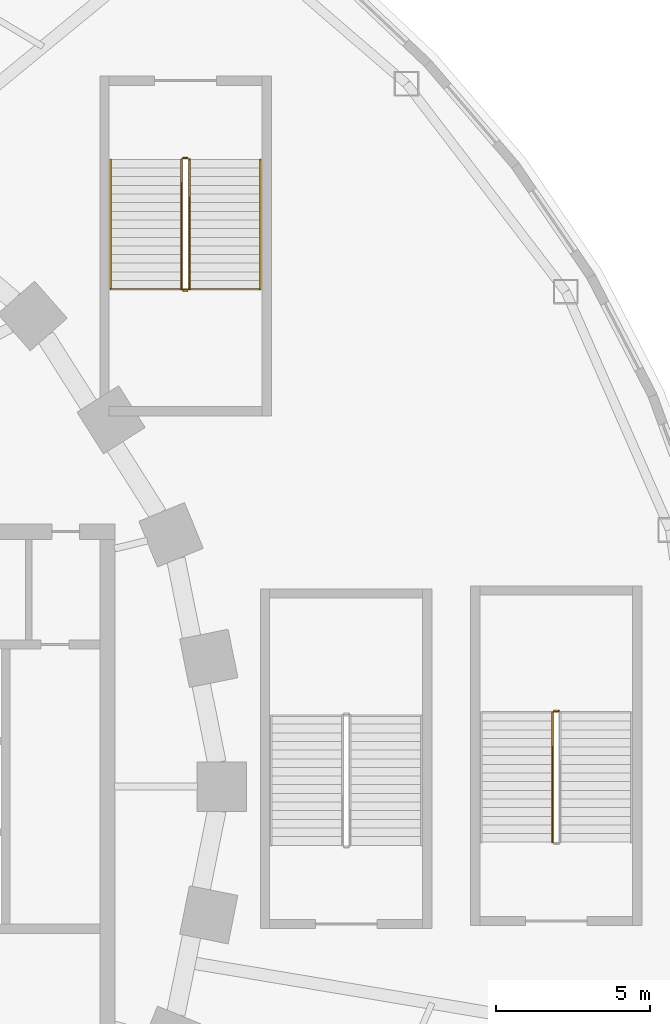
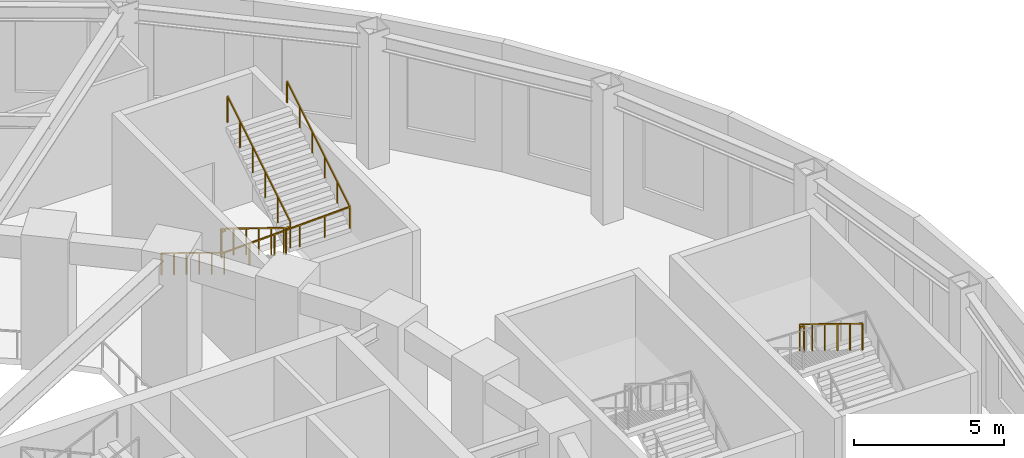
# One storey, part 68 of 69: 7 railings.
"""IFC4 building model written with IfcOpenShell, lengths in metres."""

from ifc_helpers import new_model, si_unit, direction, frame, origin, origin_2d, place, context, subcontext, project, spatial, rectangle, extrude, material, type_object, element, save


model = new_model("IFC4")

# Units and contexts
model_context = context("Model", 3, precision=1e-05, world=origin(), true_north=direction((0.0, 1.0)))
body_context = subcontext(model_context, "Body", "Model", "MODEL_VIEW")
ifc_project = project(units=[si_unit("LENGTHUNIT", "METRE"), si_unit("AREAUNIT", "SQUARE_METRE"), si_unit("VOLUMEUNIT", "CUBIC_METRE"), si_unit("PLANEANGLEUNIT", "RADIAN"), si_unit("MASSUNIT", "GRAM", prefix="KILO")], contexts=[model_context])

# Site, building, storey
site_placement = place(None, origin())
site = spatial("IfcSite", under=ifc_project, at=site_placement, CompositionType="ELEMENT")
building_placement = place(site_placement, origin())
building = spatial("IfcBuilding", under=site, at=building_placement, Name="Noorbagh Ring Tower", CompositionType="ELEMENT")
storey_placement = place(building_placement, frame((0.0, 0.0, 19.5)))
storey = spatial("IfcBuildingStorey", under=building, at=storey_placement, Name="L03", CompositionType="ELEMENT", Elevation=19.5)

# Railings
ifc_material_1 = material(Name="Stainless steel", Category="steel")
railing_type_1 = type_object("IfcRailingType", Name="GND-STAIR-GUARD", PredefinedType="GUARDRAIL", material=ifc_material_1)
railing_1_placement = place(storey_placement, frame((45.85009765625, 2.449951171875, 2.75)))
element("IfcRailing", 1, at=railing_1_placement, inside=storey, type_object=railing_type_1, Name="L03 ST-P4 stair guard", PredefinedType="GUARDRAIL", context=body_context, shape_type="SweptSolid", body=[
    extrude(rectangle(XDim=0.048095703125, YDim=0.048095703125, at=origin_2d()), frame((0.0, 0.0, 1.076171875), z_axis=(-1.0, 0.0, 0.0), x_axis=(0.0, -1.0, 0.0)), (0.0, 0.0, 1.0), 0.150146484375),
    extrude(rectangle(XDim=0.0419921875, YDim=0.0419921875, at=origin_2d()), origin(), (0.0, 0.0, 1.0), 1.052001953125),
])
for number, where, name in (
    (2, (45.64990234375, 2.39990234375, 2.921875), "L03 ST-P4 stair guard"),
    (3, (33.64990234375, 20.300048828125, 0.171875), "L03 ST-P5 stair guard"),
):
    element("IfcRailing", number, at=place(storey_placement, frame(where)), inside=storey, type_object=railing_type_1, Name=name, PredefinedType="GUARDRAIL", context=body_context, shape_type="SweptSolid", body=[
        extrude(rectangle(XDim=0.048095703125, YDim=0.048095703125, at=origin_2d()), frame((0.0, 0.0, 1.076171875), z_axis=(0.0, -0.852242915053, 0.523146264196), x_axis=(1.0, 0.0, 0.0)), (0.0, 0.0, 1.0), 4.92822265625),
        extrude(rectangle(XDim=0.0419921875, YDim=0.0419921875, at=origin_2d()), origin(), (0.0, 0.0, 1.0), 1.052001953125),
        extrude(rectangle(XDim=0.0419921875, YDim=0.0419921875, at=origin_2d()), frame((0.0, -0.840087890625, 0.515625)), (0.0, 0.0, 1.0), 1.052001953125),
        extrude(rectangle(XDim=0.0419921875, YDim=0.0419921875, at=origin_2d()), frame((0.0, -1.679931640625, 1.03125)), (0.0, 0.0, 1.0), 1.052001953125),
        extrude(rectangle(XDim=0.0419921875, YDim=0.0419921875, at=origin_2d()), frame((0.0, -2.52001953125, 1.546875)), (0.0, 0.0, 1.0), 1.052001953125),
        extrude(rectangle(XDim=0.0419921875, YDim=0.0419921875, at=origin_2d()), frame((0.0, -3.35986328125, 2.0625)), (0.0, 0.0, 1.0), 1.052001953125),
        extrude(rectangle(XDim=0.0419921875, YDim=0.0419921875, at=origin_2d()), frame((0.0, -4.199951171875, 2.578125)), (0.0, 0.0, 1.0), 1.052001953125),
    ])
railing_2_placement = place(storey_placement, frame((33.699951171875, 16.050048828125, 2.75)))
element("IfcRailing", 4, at=railing_2_placement, inside=storey, type_object=railing_type_1, Name="L03 ST-P5 stair guard", PredefinedType="GUARDRAIL", context=body_context, shape_type="SweptSolid", body=[
    extrude(rectangle(XDim=0.048095703125, YDim=0.048095703125, at=origin_2d()), frame((0.0, 0.0, 1.076171875), z_axis=(1.0, 0.0, 0.0), x_axis=(0.0, 1.0, 0.0)), (0.0, 0.0, 1.0), 0.150146484375),
    extrude(rectangle(XDim=0.0419921875, YDim=0.0419921875, at=origin_2d()), origin(), (0.0, 0.0, 1.0), 1.052001953125),
])
railing_3_placement = place(storey_placement, frame((33.89990234375, 16.10009765625, 2.921875)))
element("IfcRailing", 5, at=railing_3_placement, inside=storey, type_object=railing_type_1, Name="L03 ST-P5 stair guard", PredefinedType="GUARDRAIL", context=body_context, shape_type="SweptSolid", body=[
    extrude(rectangle(XDim=0.048095703125, YDim=0.048095703125, at=origin_2d()), frame((0.0, 0.0, 1.076171875), z_axis=(0.0, 0.852242915053, 0.523146264196), x_axis=(-1.0, 0.0, 0.0)), (0.0, 0.0, 1.0), 4.92822265625),
    extrude(rectangle(XDim=0.0419921875, YDim=0.0419921875, at=origin_2d()), origin(), (0.0, 0.0, 1.0), 1.052001953125),
    extrude(rectangle(XDim=0.0419921875, YDim=0.0419921875, at=origin_2d()), frame((0.0, 0.840087890625, 0.515625)), (0.0, 0.0, 1.0), 1.052001953125),
    extrude(rectangle(XDim=0.0419921875, YDim=0.0419921875, at=origin_2d()), frame((0.0, 1.679931640625, 1.03125)), (0.0, 0.0, 1.0), 1.052001953125),
    extrude(rectangle(XDim=0.0419921875, YDim=0.0419921875, at=origin_2d()), frame((0.0, 2.52001953125, 1.546875)), (0.0, 0.0, 1.0), 1.052001953125),
    extrude(rectangle(XDim=0.0419921875, YDim=0.0419921875, at=origin_2d()), frame((0.0, 3.35986328125, 2.0625)), (0.0, 0.0, 1.0), 1.052001953125),
    extrude(rectangle(XDim=0.0419921875, YDim=0.0419921875, at=origin_2d()), frame((0.0, 4.199951171875, 2.578125)), (0.0, 0.0, 1.0), 1.052001953125),
])
railing_4_placement = place(storey_placement, frame((33.699951171875, 20.35009765625, 0.0)))
element("IfcRailing", 6, at=railing_4_placement, inside=storey, type_object=railing_type_1, Name="L03 ST-P5 stair guard", PredefinedType="GUARDRAIL", context=body_context, shape_type="SweptSolid", body=[
    extrude(rectangle(XDim=0.048095703125, YDim=0.048095703125, at=origin_2d()), frame((0.0, 0.0, 1.076171875), z_axis=(1.0, 0.0, 0.0), x_axis=(0.0, 1.0, 0.0)), (0.0, 0.0, 1.0), 0.150146484375),
    extrude(rectangle(XDim=0.0419921875, YDim=0.0419921875, at=origin_2d()), origin(), (0.0, 0.0, 1.0), 1.052001953125),
])
ifc_material_2 = material(Name="Stainless steel", Category="steel")
railing_type_2 = type_object("IfcRailingType", Name="GND-STAIR-HANDRAIL", PredefinedType="HANDRAIL", material=ifc_material_2)
railing_5_placement = place(storey_placement, frame((31.35009765625, 20.300048828125, 0.171875)))
element("IfcRailing", 7, at=railing_5_placement, inside=storey, type_object=railing_type_2, Name="L03 ST-P5 stair handrail", PredefinedType="HANDRAIL", context=body_context, shape_type="SweptSolid", body=[
    extrude(rectangle(XDim=0.048095703125, YDim=0.048095703125, at=origin_2d()), frame((0.0, 0.0, 0.8759765625), z_axis=(0.0, -0.852242915053, 0.523146264196), x_axis=(1.0, 0.0, 0.0)), (0.0, 0.0, 1.0), 4.92822265625),
    extrude(rectangle(XDim=0.048095703125, YDim=0.048095703125, at=origin_2d()), frame((0.0, -4.199951171875, 3.4541015625), z_axis=(0.99937262193, 0.0, 0.035416980913), x_axis=(0.0, 1.0, 0.0)), (0.0, 0.0, 1.0), 4.852783203125),
    extrude(rectangle(XDim=0.048095703125, YDim=0.048095703125, at=origin_2d()), frame((4.849853515625, -4.199951171875, 3.6259765625), z_axis=(0.0, 0.852242915053, 0.523146264196), x_axis=(-1.0, 0.0, 0.0)), (0.0, 0.0, 1.0), 4.92822265625),
    extrude(rectangle(XDim=0.0419921875, YDim=0.0419921875, at=origin_2d()), origin(), (0.0, 0.0, 1.0), 0.851806640625),
    extrude(rectangle(XDim=0.0419921875, YDim=0.0419921875, at=origin_2d()), frame((0.0, -0.840087890625, 0.515625)), (0.0, 0.0, 1.0), 0.851806640625),
    extrude(rectangle(XDim=0.0419921875, YDim=0.0419921875, at=origin_2d()), frame((0.0, -1.679931640625, 1.03125)), (0.0, 0.0, 1.0), 0.851806640625),
    extrude(rectangle(XDim=0.0419921875, YDim=0.0419921875, at=origin_2d()), frame((0.0, -2.52001953125, 1.546875)), (0.0, 0.0, 1.0), 0.851806640625),
    extrude(rectangle(XDim=0.0419921875, YDim=0.0419921875, at=origin_2d()), frame((0.0, -3.35986328125, 2.0625)), (0.0, 0.0, 1.0), 0.851806640625),
    extrude(rectangle(XDim=0.0419921875, YDim=0.0419921875, at=origin_2d()), frame((0.0, -4.199951171875, 2.578125)), (0.0, 0.0, 1.0), 0.851806640625),
    extrude(rectangle(XDim=0.0419921875, YDim=0.0419921875, at=origin_2d()), frame((0.969970703125, -4.199951171875, 2.612548828125)), (0.0, 0.0, 1.0), 0.851806640625),
    extrude(rectangle(XDim=0.0419921875, YDim=0.0419921875, at=origin_2d()), frame((1.93994140625, -4.199951171875, 2.64697265625)), (0.0, 0.0, 1.0), 0.851806640625),
    extrude(rectangle(XDim=0.0419921875, YDim=0.0419921875, at=origin_2d()), frame((2.909912109375, -4.199951171875, 2.68115234375)), (0.0, 0.0, 1.0), 0.851806640625),
    extrude(rectangle(XDim=0.0419921875, YDim=0.0419921875, at=origin_2d()), frame((3.8798828125, -4.199951171875, 2.715576171875)), (0.0, 0.0, 1.0), 0.851806640625),
    extrude(rectangle(XDim=0.0419921875, YDim=0.0419921875, at=origin_2d()), frame((4.849853515625, -4.199951171875, 2.75)), (0.0, 0.0, 1.0), 0.851806640625),
    extrude(rectangle(XDim=0.0419921875, YDim=0.0419921875, at=origin_2d()), frame((4.849853515625, -3.35986328125, 3.265625)), (0.0, 0.0, 1.0), 0.851806640625),
    extrude(rectangle(XDim=0.0419921875, YDim=0.0419921875, at=origin_2d()), frame((4.849853515625, -2.52001953125, 3.78125)), (0.0, 0.0, 1.0), 0.851806640625),
    extrude(rectangle(XDim=0.0419921875, YDim=0.0419921875, at=origin_2d()), frame((4.849853515625, -1.679931640625, 4.296875)), (0.0, 0.0, 1.0), 0.851806640625),
    extrude(rectangle(XDim=0.0419921875, YDim=0.0419921875, at=origin_2d()), frame((4.849853515625, -0.840087890625, 4.8125)), (0.0, 0.0, 1.0), 0.851806640625),
    extrude(rectangle(XDim=0.0419921875, YDim=0.0419921875, at=origin_2d()), frame((4.849853515625, 0.0, 5.328125)), (0.0, 0.0, 1.0), 0.851806640625),
])

save(model, "model.ifc")
